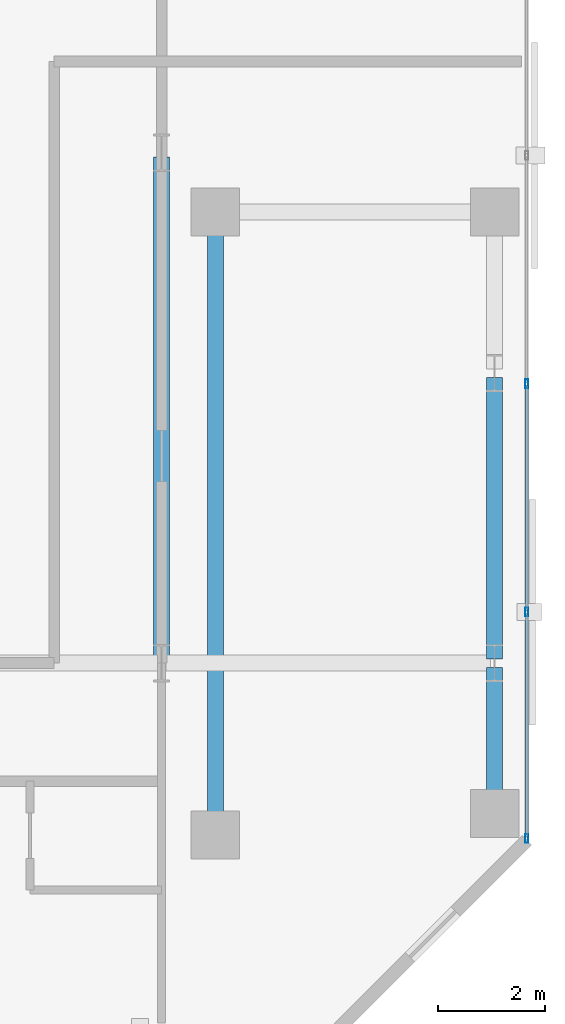
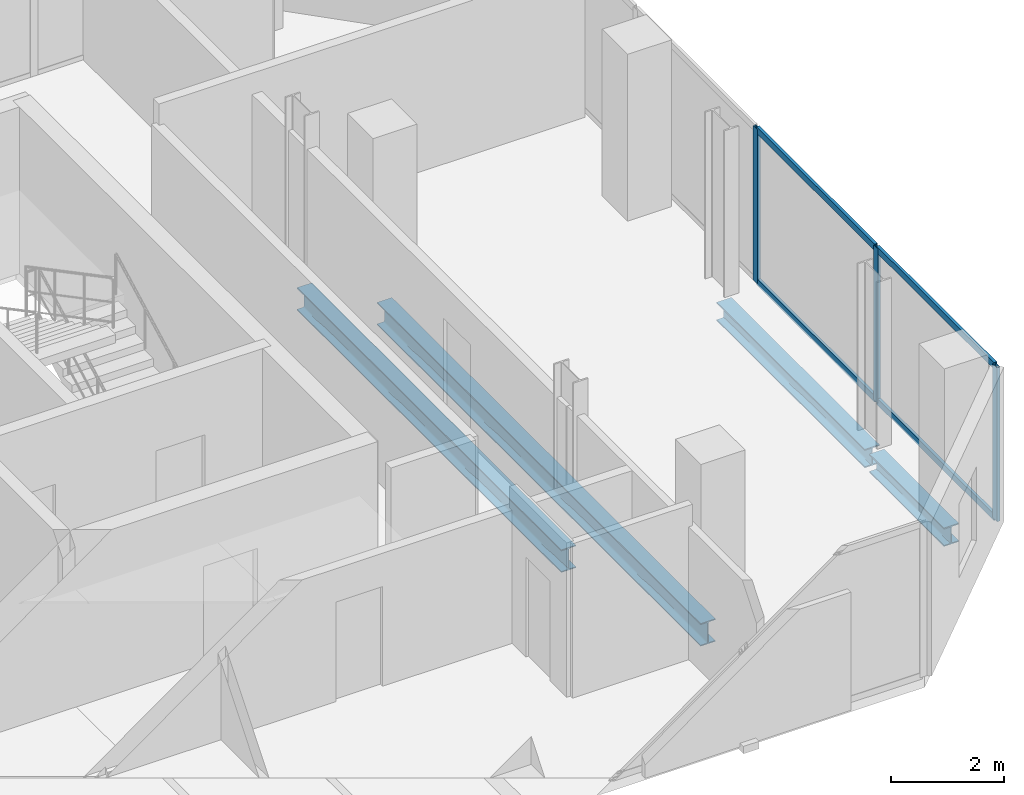
# One storey, part 16 of 33: 7 members, 4 beams, 1 element without a shape of its own.
"""IFC4 building model written with IfcOpenShell, lengths in metres."""

from ifc_helpers import new_model, si_unit, direction, frame, origin, origin_2d, place, context, subcontext, project, spatial, hollow_rectangle, i_section, extrude, material, layer, layer_set, material_profile, profile_set, type_object, element, aggregate, save


model = new_model("IFC4")

# Units and contexts
model_context = context("Model", 3, precision=1e-05, world=origin(), true_north=direction((0.0, 1.0)))
body_context = subcontext(model_context, "Body", "Model", "MODEL_VIEW")
ifc_project = project(units=[si_unit("LENGTHUNIT", "METRE"), si_unit("AREAUNIT", "SQUARE_METRE"), si_unit("VOLUMEUNIT", "CUBIC_METRE"), si_unit("PLANEANGLEUNIT", "RADIAN"), si_unit("MASSUNIT", "GRAM", prefix="KILO")], contexts=[model_context])

# Site, building, storey
site_placement = place(None, origin())
site = spatial("IfcSite", under=ifc_project, at=site_placement, CompositionType="ELEMENT")
building_placement = place(site_placement, origin())
building = spatial("IfcBuilding", under=site, at=building_placement, Name="Catumbela Crestline Tower", CompositionType="ELEMENT")
storey_placement = place(building_placement, frame((0.0, 0.0, 100.8)))
storey = spatial("IfcBuildingStorey", under=building, at=storey_placement, Name="L25", CompositionType="ELEMENT", Elevation=100.8)

# Beams
ifc_material_1 = material(Name="Structural steel S355J2", Category="steel")
ifc_material_profile_1 = material_profile(ifc_material_1, i_section(OverallWidth=0.3, OverallDepth=0.49, WebThickness=0.012, FlangeThickness=0.023, FilletRadius=0.027, at=origin_2d()), Name="HEA 500")
ifc_profile_set_1 = profile_set([ifc_material_profile_1], Name="Structural steel S355J2")
beam_type_1 = type_object("IfcBeamType", Name="BG-HEA500", PredefinedType="BEAM", material=ifc_profile_set_1)
beam_1_placement = place(storey_placement, frame((44.2, 30.88, -0.505), z_axis=(0.0, 1.0, 0.0), x_axis=(-1.0, 0.0, 0.0)))
element("IfcBeam", 1, at=beam_1_placement, inside=storey, type_object=beam_type_1, Name="L25 Beam BM-L25-SN32", PredefinedType="BEAM", context=body_context, shape_type="SweptSolid", body=[
    extrude(i_section(OverallWidth=0.3, OverallDepth=0.49, WebThickness=0.012, FlangeThickness=0.023, FilletRadius=0.027, at=origin_2d()), origin(), (0.0, 0.0, 1.0), 9.34),
])
beam_2_placement = place(storey_placement, frame((45.2, 27.68, -0.505), z_axis=(0.0, 1.0, 0.0), x_axis=(-1.0, 0.0, 0.0)))
element("IfcBeam", 2, at=beam_2_placement, inside=storey, type_object=beam_type_1, Name="L25 Beam BM-L25-SN33", PredefinedType="BEAM", context=body_context, shape_type="SweptSolid", body=[
    extrude(i_section(OverallWidth=0.3, OverallDepth=0.49, WebThickness=0.012, FlangeThickness=0.023, FilletRadius=0.027, at=origin_2d()), origin(), (0.0, 0.0, 1.0), 11.44),
])

# Curtain wall, members
ifc_material_2 = material(Name="Aluminium alloy AW-6060-T66", Category="aluminium")
ifc_layer = layer(ifc_material_2, 0.18, Name="Aluminium alloy AW-6060-T66")
ifc_layer_set = layer_set([ifc_layer], Name="Aluminium alloy AW-6060-T66")
curtain_wall_type = type_object("IfcCurtainWallType", Name="CWU-Z2", PredefinedType="USERDEFINED", material=ifc_layer_set)
curtain_wall_placement = place(storey_placement, origin())
curtain_wall = element("IfcCurtainWall", 3, at=curtain_wall_placement, inside=storey, type_object=curtain_wall_type, Name="L25 Unitised Curtain Wall CW-L25-E5S1", ObjectType="UNITISED", PredefinedType="USERDEFINED")
ifc_material_profile_2 = material_profile(ifc_material_2, hollow_rectangle(XDim=0.06, YDim=0.16, WallThickness=0.004, at=origin_2d()), Name="ALU 160x60x4")
ifc_profile_set_2 = profile_set([ifc_material_profile_2], Name="Aluminium alloy AW-6060-T66")
member_type_1 = type_object("IfcMemberType", Name="MUL-160X60", PredefinedType="MULLION", material=ifc_profile_set_2)
member_1_placement = place(storey_placement, frame((51.0, 27.5325, 0.0), z_axis=(0.0, 0.0, 1.0), x_axis=(-1.0, 0.0, 0.0)))
member_1 = element("IfcMember", 4, at=member_1_placement, type_object=member_type_1, Name="CWU-Z2 mullion 1", PredefinedType="MULLION", context=body_context, shape_type="SweptSolid", body=[
    extrude(hollow_rectangle(XDim=0.06, YDim=0.16, WallThickness=0.004, at=origin_2d()), origin(), (0.0, 0.0, 1.0), 3.33),
])
member_2_placement = place(storey_placement, frame((51.0, 31.75, 0.0), z_axis=(0.0, 0.0, 1.0), x_axis=(-1.0, 0.0, 0.0)))
member_2 = element("IfcMember", 5, at=member_2_placement, type_object=member_type_1, Name="CWU-Z2 mullion 2", PredefinedType="MULLION", context=body_context, shape_type="SweptSolid", body=[
    extrude(hollow_rectangle(XDim=0.06, YDim=0.16, WallThickness=0.004, at=origin_2d()), origin(), (0.0, 0.0, 1.0), 3.33),
])
member_3_placement = place(storey_placement, frame((51.0, 36.0, 0.0), z_axis=(0.0, 0.0, 1.0), x_axis=(-1.0, 0.0, 0.0)))
member_3 = element("IfcMember", 6, at=member_3_placement, type_object=member_type_1, Name="CWU-Z2 mullion 3", PredefinedType="MULLION", context=body_context, shape_type="SweptSolid", body=[
    extrude(hollow_rectangle(XDim=0.06, YDim=0.16, WallThickness=0.004, at=origin_2d()), origin(), (0.0, 0.0, 1.0), 3.33),
])

# Beams
ifc_material_profile_3 = material_profile(ifc_material_1, i_section(OverallWidth=0.3, OverallDepth=0.4, WebThickness=0.0135, FlangeThickness=0.024, FilletRadius=0.027, at=origin_2d()), Name="HEB 400")
ifc_profile_set_3 = profile_set([ifc_material_profile_3], Name="Structural steel S355J2")
beam_type_2 = type_object("IfcBeamType", Name="BS-HEB400", PredefinedType="SPANDREL", material=ifc_profile_set_3)
beam_3_placement = place(storey_placement, frame((50.4, 28.08, -0.46), z_axis=(0.0, 1.0, 0.0), x_axis=(-1.0, 0.0, 0.0)))
element("IfcBeam", 7, at=beam_3_placement, inside=storey, type_object=beam_type_2, Name="L25 Spandrel SP-L25-SN34", PredefinedType="SPANDREL", context=body_context, shape_type="SweptSolid", body=[
    extrude(i_section(OverallWidth=0.3, OverallDepth=0.4, WebThickness=0.0135, FlangeThickness=0.024, FilletRadius=0.027, at=origin_2d()), origin(), (0.0, 0.0, 1.0), 2.64),
])
beam_4_placement = place(storey_placement, frame((50.4, 30.88, -0.46), z_axis=(0.0, 1.0, 0.0), x_axis=(-1.0, 0.0, 0.0)))
element("IfcBeam", 8, at=beam_4_placement, inside=storey, type_object=beam_type_2, Name="L25 Spandrel SP-L25-SN35", PredefinedType="SPANDREL", context=body_context, shape_type="SweptSolid", body=[
    extrude(i_section(OverallWidth=0.3, OverallDepth=0.4, WebThickness=0.0135, FlangeThickness=0.024, FilletRadius=0.027, at=origin_2d()), origin(), (0.0, 0.0, 1.0), 5.24),
])

# Member
ifc_material_profile_4 = material_profile(ifc_material_2, hollow_rectangle(XDim=0.06, YDim=0.14, WallThickness=0.004, at=origin_2d()), Name="ALU 140x60x4")
ifc_profile_set_4 = profile_set([ifc_material_profile_4], Name="Aluminium alloy AW-6060-T66")
member_type_2 = type_object("IfcMemberType", Name="TRN-140X60", PredefinedType="USERDEFINED", material=ifc_profile_set_4)
member_4_placement = place(storey_placement, frame((51.0, 27.565, 0.03), z_axis=(0.0, 1.0, 0.0), x_axis=(-1.0, 0.0, 0.0)))
member_4 = element("IfcMember", 9, at=member_4_placement, type_object=member_type_2, Name="CWU-Z2 transom 1.1", ObjectType="TRANSOM", PredefinedType="USERDEFINED", context=body_context, shape_type="SweptSolid", body=[
    extrude(hollow_rectangle(XDim=0.06, YDim=0.14, WallThickness=0.004, at=origin_2d()), origin(), (0.0, 0.0, 1.0), 4.1525),
])

member_5_placement = place(storey_placement, frame((51.0, 27.565, 3.3), z_axis=(0.0, 1.0, 0.0), x_axis=(-1.0, 0.0, 0.0)))
member_5 = element("IfcMember", 10, at=member_5_placement, type_object=member_type_2, Name="CWU-Z2 transom 1.2", ObjectType="TRANSOM", PredefinedType="USERDEFINED", context=body_context, shape_type="SweptSolid", body=[
    extrude(hollow_rectangle(XDim=0.06, YDim=0.14, WallThickness=0.004, at=origin_2d()), origin(), (0.0, 0.0, 1.0), 4.1525),
])

member_6_placement = place(storey_placement, frame((51.0, 31.7825, 0.03), z_axis=(0.0, 1.0, 0.0), x_axis=(-1.0, 0.0, 0.0)))
member_6 = element("IfcMember", 11, at=member_6_placement, type_object=member_type_2, Name="CWU-Z2 transom 2.1", ObjectType="TRANSOM", PredefinedType="USERDEFINED", context=body_context, shape_type="SweptSolid", body=[
    extrude(hollow_rectangle(XDim=0.06, YDim=0.14, WallThickness=0.004, at=origin_2d()), origin(), (0.0, 0.0, 1.0), 4.185),
])

member_7_placement = place(storey_placement, frame((51.0, 31.7825, 3.3), z_axis=(0.0, 1.0, 0.0), x_axis=(-1.0, 0.0, 0.0)))
member_7 = element("IfcMember", 12, at=member_7_placement, type_object=member_type_2, Name="CWU-Z2 transom 2.2", ObjectType="TRANSOM", PredefinedType="USERDEFINED", context=body_context, shape_type="SweptSolid", body=[
    extrude(hollow_rectangle(XDim=0.06, YDim=0.14, WallThickness=0.004, at=origin_2d()), origin(), (0.0, 0.0, 1.0), 4.185),
])

aggregate(curtain_wall, [member_1, member_2, member_3, member_4, member_5, member_6, member_7])

save(model, "model.ifc")
